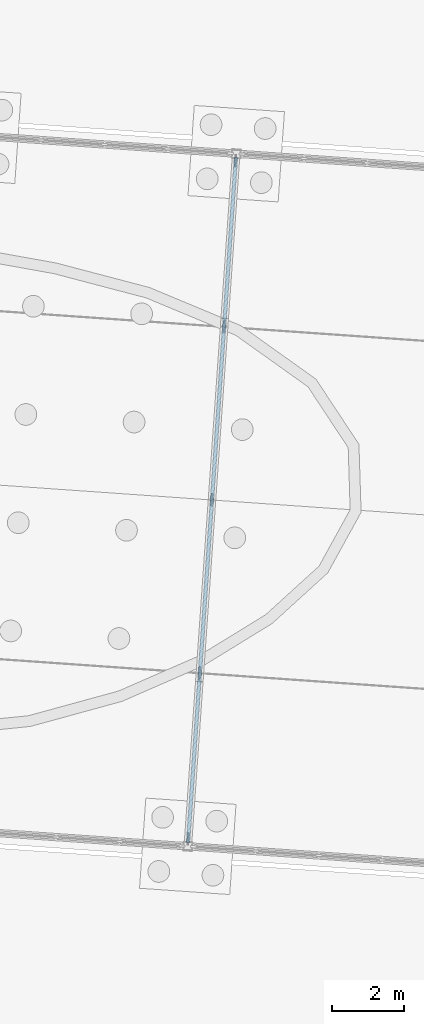
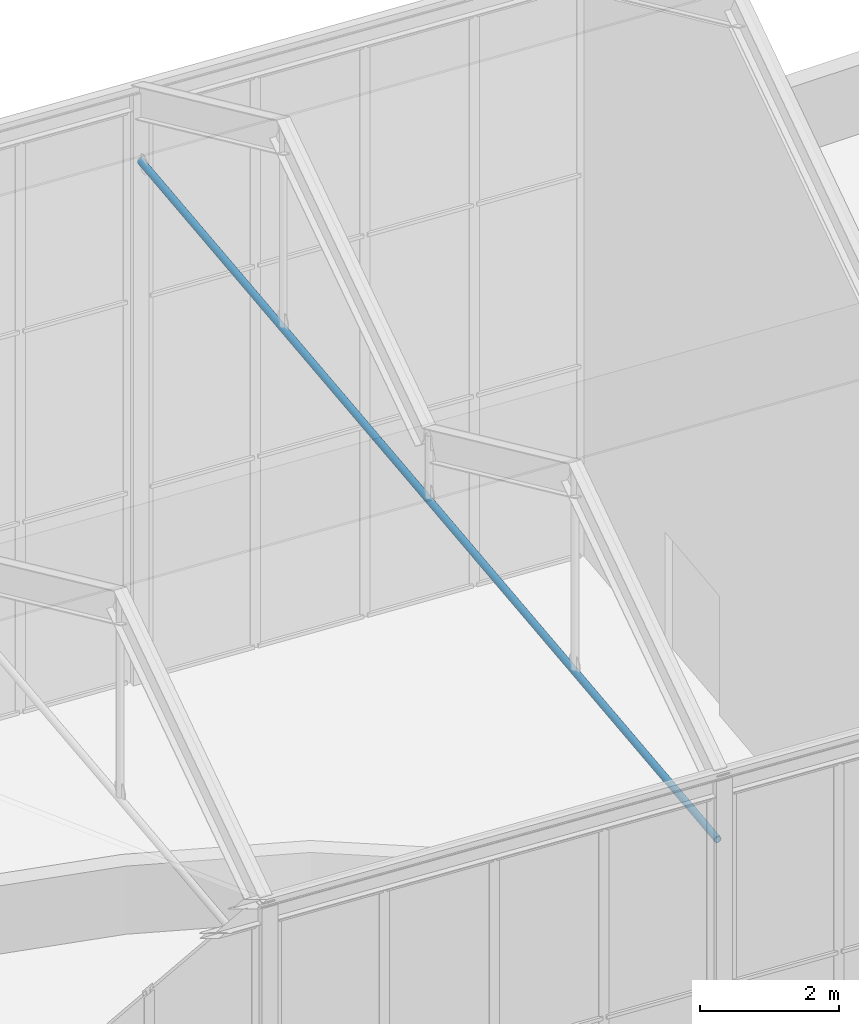
# One storey, part 46 of 157: 1 member.
"""IFC4 building model written with IfcOpenShell, lengths in metres."""

from ifc_helpers import new_model, si_unit, direction, frame, origin, origin_2d, place, context, subcontext, project, spatial, hollow_circle, extrude, material, material_profile, profile_set, type_object, element, save


model = new_model("IFC4")

# Units and contexts
model_context = context("Model", 3, precision=1e-05, world=origin(), true_north=direction((0.0, 1.0)))
body_context = subcontext(model_context, "Body", "Model", "MODEL_VIEW")
ifc_project = project(units=[si_unit("LENGTHUNIT", "METRE"), si_unit("AREAUNIT", "SQUARE_METRE"), si_unit("VOLUMEUNIT", "CUBIC_METRE"), si_unit("PLANEANGLEUNIT", "RADIAN"), si_unit("MASSUNIT", "GRAM", prefix="KILO")], contexts=[model_context])

# Site, building, storey
site_placement = place(None, origin())
site = spatial("IfcSite", under=ifc_project, at=site_placement, CompositionType="ELEMENT")
building_placement = place(site_placement, origin())
building = spatial("IfcBuilding", under=site, at=building_placement, Name="Windward Yard Aquatics Centre", CompositionType="ELEMENT")
storey_placement = place(building_placement, origin())
storey = spatial("IfcBuildingStorey", under=building, at=storey_placement, Name="L00", CompositionType="ELEMENT", Elevation=0.0)

# Member
ifc_material = material(Name="Steel S355", Category="steel")
ifc_material_profile = material_profile(ifc_material, hollow_circle(Radius=0.05712890625, WallThickness=0.006103515625, at=origin_2d()), Name="CHS114x6")
ifc_profile_set = profile_set([ifc_material_profile], Name="Steel S355")
member_type = type_object("IfcMemberType", Name="W CHS114x6 strut", PredefinedType="STRUT", material=ifc_profile_set)
member_placement = place(storey_placement, frame((93.704833984375, 117.955322265625, 9.199951171875), z_axis=(0.069759439722, 0.997563842854, 0.0), x_axis=(-0.997563842854, 0.069759439722, 0.0)))
element("IfcMember", 1, at=member_placement, inside=storey, type_object=member_type, Name="W.TIE.4", PredefinedType="STRUT", context=body_context, shape_type="SweptSolid", body=[
    extrude(hollow_circle(Radius=0.05712890625, WallThickness=0.006103515625, at=origin_2d()), origin(), (0.0, 0.0, 1.0), 19.000244140625),
])

save(model, "model.ifc")
